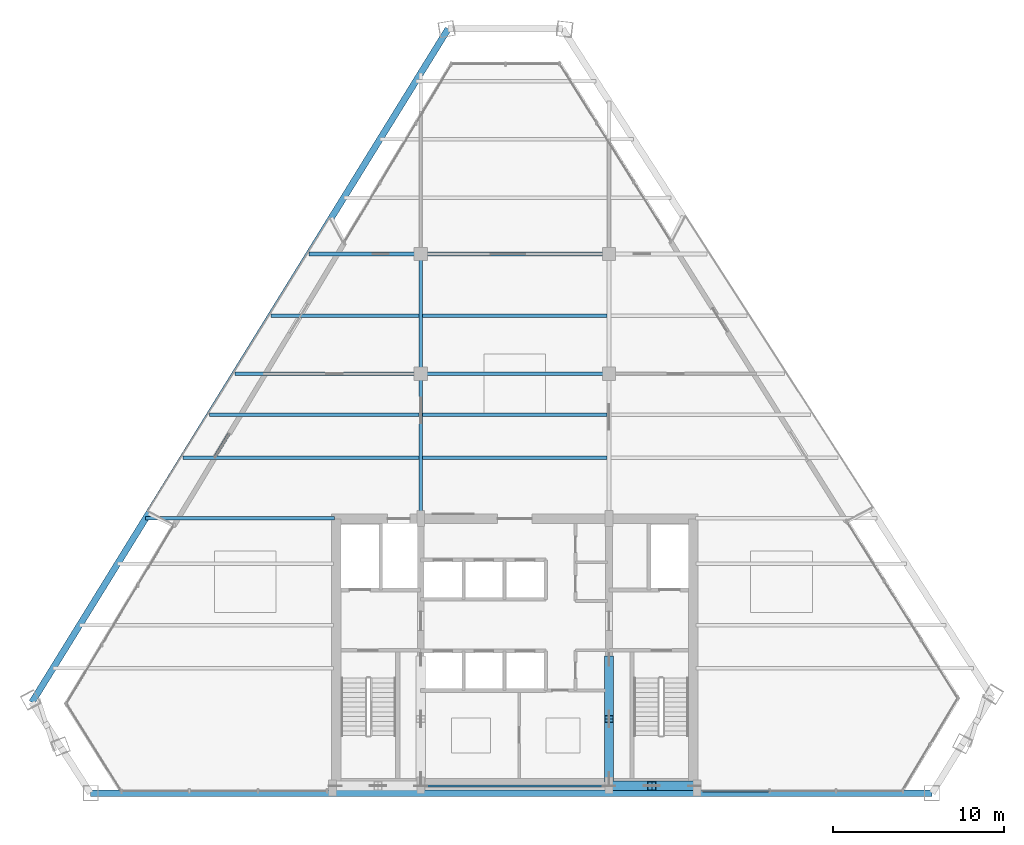
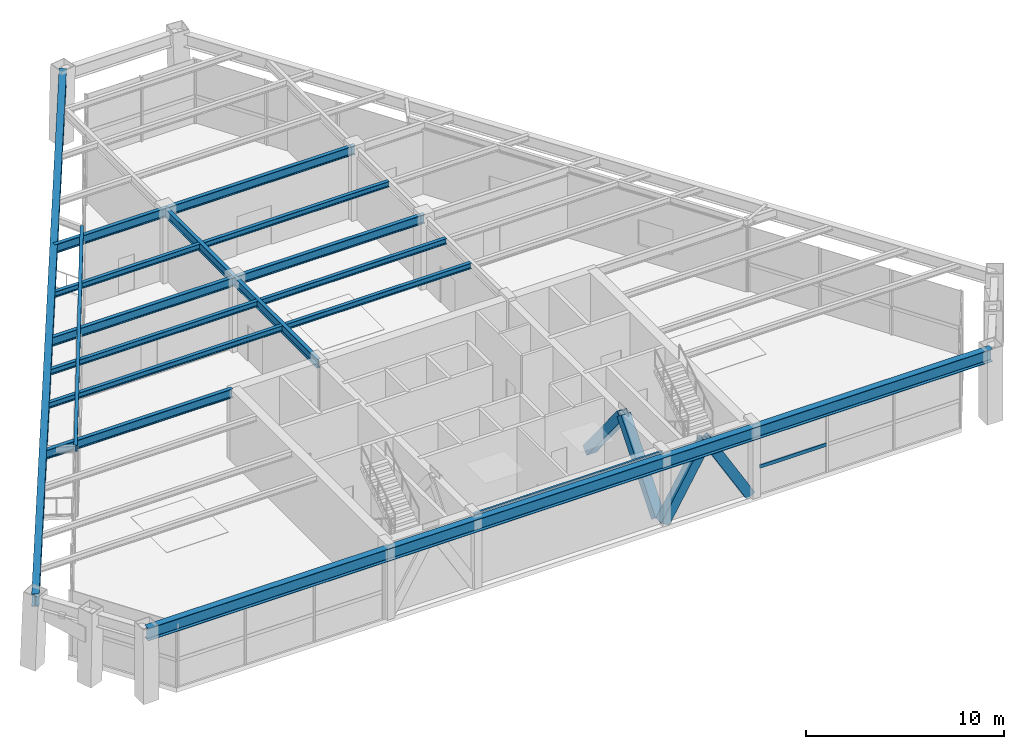
# One storey, part 3 of 11: 17 beams, 5 members, 1 element without a shape of its own.
"""IFC4 building model written with IfcOpenShell, lengths in metres."""

from ifc_helpers import new_model, si_unit, direction, frame, origin, origin_2d, place, context, subcontext, project, spatial, rectangle, hollow_rectangle, i_section, extrude, source, transform, mapped, material, material_profile, profile_set, type_object, type_shapes, element, aggregate, save


model = new_model("IFC4")

# Units and contexts
model_context = context("Model", 3, precision=1e-05, world=origin(), true_north=direction((0.0, 1.0)))
body_context = subcontext(model_context, "Body", "Model", "MODEL_VIEW")
ifc_project = project(units=[si_unit("LENGTHUNIT", "METRE"), si_unit("AREAUNIT", "SQUARE_METRE"), si_unit("VOLUMEUNIT", "CUBIC_METRE"), si_unit("PLANEANGLEUNIT", "RADIAN"), si_unit("MASSUNIT", "GRAM", prefix="KILO")], contexts=[model_context])

# Site, building, storey
site_placement = place(None, origin())
site = spatial("IfcSite", under=ifc_project, at=site_placement, CompositionType="ELEMENT")
building_placement = place(site_placement, origin())
building = spatial("IfcBuilding", under=site, at=building_placement, Name="Varnakhor Terracotta Tower", CompositionType="ELEMENT")
storey_placement = place(building_placement, frame((0.0, 0.0, 215.39990234375)))
storey = spatial("IfcBuildingStorey", under=building, at=storey_placement, Name="L55", CompositionType="ELEMENT", Elevation=215.39990234375)

# Beams
ifc_material_1 = material(Name="Steel S355", Category="steel")
ifc_material_profile_1 = material_profile(ifc_material_1, i_section(OverallWidth=0.1201171875, OverallDepth=0.239990234375, WebThickness=0.006103515625, FlangeThickness=0.009765625, FilletRadius=0.01806640625, at=origin_2d()), Name="IPE240")
ifc_profile_set_1 = profile_set([ifc_material_profile_1], Name="Steel S355")
beam_type_1 = type_object("IfcBeamType", Name="LNT-IPE240", PredefinedType="LINTEL", material=ifc_profile_set_1)
shared_shape_1 = source(origin(), body_context, "Body", "SweptSolid", [
    extrude(i_section(OverallWidth=0.1201171875, OverallDepth=0.239990234375, WebThickness=0.006103515625, FlangeThickness=0.009765625, FilletRadius=0.01806640625, at=origin_2d()), origin(), (0.0, 0.0, 1.0), 11.0),
])
type_shapes(beam_type_1, [shared_shape_1])
beam_1_placement = place(storey_placement, frame((-5.5, 0.419921875, 4.27001953125), z_axis=(1.0, 0.0, 0.0), x_axis=(0.0, 1.0, 0.0)))
element("IfcBeam", 1, at=beam_1_placement, inside=storey, type_object=beam_type_1, Name="L55 Core South Coupling Lintel", PredefinedType="LINTEL", context=body_context, shape_type="MappedRepresentation", body=[
    mapped(shared_shape_1, transform((0.0, 0.0, 0.0), scale=1.0)),
])
ifc_material_profile_2 = material_profile(ifc_material_1, i_section(OverallWidth=0.381103515625, OverallDepth=0.77294921875, WebThickness=0.01708984375, FlangeThickness=0.027099609375, FilletRadius=0.01806640625, at=origin_2d()), Name="W30X173")
ifc_profile_set_2 = profile_set([ifc_material_profile_2], Name="Steel S355")
beam_type_2 = type_object("IfcBeamType", Name="BM-W30X173", PredefinedType="BEAM", material=ifc_profile_set_2)
shared_shape_2 = source(origin(), body_context, "Body", "SweptSolid", [
    extrude(i_section(OverallWidth=0.381103515625, OverallDepth=0.77294921875, WebThickness=0.01708984375, FlangeThickness=0.027099609375, FilletRadius=0.01806640625, at=origin_2d()), origin(), (0.0, 0.0, 1.0), 49.199462890625),
])
type_shapes(beam_type_2, [shared_shape_2])
beam_2_placement = place(storey_placement, frame((-24.810791015625, 0.0, 4.003662109375), z_axis=(1.0, 0.0, 0.0), x_axis=(0.0, 1.0, 0.0)))
element("IfcBeam", 2, at=beam_2_placement, inside=storey, type_object=beam_type_2, Name="L55 Perimeter Spandrel 1", PredefinedType="BEAM", context=body_context, shape_type="MappedRepresentation", body=[
    mapped(shared_shape_2, transform((0.0, 0.0, 0.0), scale=1.0)),
])
shared_shape_3 = source(origin(), body_context, "Body", "SweptSolid", [
    extrude(i_section(OverallWidth=0.381103515625, OverallDepth=0.77294921875, WebThickness=0.01708984375, FlangeThickness=0.027099609375, FilletRadius=0.01806640625, at=origin_2d()), origin(), (0.0, 0.0, 1.0), 46.26220703125),
])
beam_3_placement = place(storey_placement, frame((-3.898681640625, 44.65478515625, 4.003662109375), z_axis=(-0.525717682848, -0.850659107952, 0.0), x_axis=(0.850659107952, -0.525717682848, 0.0)))
element("IfcBeam", 3, at=beam_3_placement, inside=storey, type_object=beam_type_2, Name="L55 Perimeter Spandrel 6", PredefinedType="BEAM", context=body_context, shape_type="MappedRepresentation", body=[
    mapped(shared_shape_3, transform((0.0, 0.0, 0.0), scale=1.0)),
])
ifc_material_profile_3 = material_profile(ifc_material_1, i_section(OverallWidth=0.179931640625, OverallDepth=0.39990234375, WebThickness=0.008544921875, FlangeThickness=0.013427734375, FilletRadius=0.01806640625, at=origin_2d()), Name="IPE400")
ifc_profile_set_3 = profile_set([ifc_material_profile_3], Name="Steel S355")
beam_type_3 = type_object("IfcBeamType", Name="JST-IPE400", PredefinedType="JOIST", material=ifc_profile_set_3)
shared_shape_4 = source(origin(), body_context, "Body", "SweptSolid", [
    extrude(i_section(OverallWidth=0.179931640625, OverallDepth=0.39990234375, WebThickness=0.008544921875, FlangeThickness=0.013427734375, FilletRadius=0.01806640625, at=origin_2d()), origin(), (0.0, 0.0, 1.0), 19.322265625),
])
beam_4_placement = place(storey_placement, frame((-9.989990234375, 32.188232421875, 4.190185546875), z_axis=(-0.514354531287, -0.857577644382, 0.0), x_axis=(0.857577644382, -0.514354531287, 0.0)))
element("IfcBeam", 4, at=beam_4_placement, inside=storey, type_object=beam_type_3, Name="L55 Loggia Edge Beam 2", PredefinedType="JOIST", context=body_context, shape_type="MappedRepresentation", body=[
    mapped(shared_shape_4, transform((0.0, 0.0, 0.0), scale=1.0)),
])
ifc_material_profile_4 = material_profile(ifc_material_1, i_section(OverallWidth=0.214111328125, OverallDepth=0.549072265625, WebThickness=0.014892578125, FlangeThickness=0.02392578125, FilletRadius=0.01806640625, at=origin_2d()), Name="W21X93")
ifc_profile_set_4 = profile_set([ifc_material_profile_4], Name="Steel S355")
beam_type_4 = type_object("IfcBeamType", Name="BM-W21X93", PredefinedType="BEAM", material=ifc_profile_set_4)
shared_shape_5 = source(origin(), body_context, "Body", "SweptSolid", [
    extrude(i_section(OverallWidth=0.214111328125, OverallDepth=0.549072265625, WebThickness=0.014892578125, FlangeThickness=0.02392578125, FilletRadius=0.01806640625, at=origin_2d()), origin(), (0.0, 0.0, 1.0), 8.449951171875),
])
type_shapes(beam_type_4, [shared_shape_5])
beam_5_placement = place(storey_placement, frame((-5.5, 16.050048828125, 4.115478515625), z_axis=(0.0, 1.0, 0.0), x_axis=(-1.0, 0.0, 0.0)))
element("IfcBeam", 5, at=beam_5_placement, inside=storey, type_object=beam_type_4, Name="L55 Primary Girder NS1-W", PredefinedType="BEAM", context=body_context, shape_type="MappedRepresentation", body=[
    mapped(shared_shape_5, transform((0.0, 0.0, 0.0), scale=1.0)),
])
shared_shape_6 = source(origin(), body_context, "Body", "SweptSolid", [
    extrude(i_section(OverallWidth=0.214111328125, OverallDepth=0.549072265625, WebThickness=0.014892578125, FlangeThickness=0.02392578125, FilletRadius=0.01806640625, at=origin_2d()), origin(), (0.0, 0.0, 1.0), 7.0),
])
beam_6_placement = place(storey_placement, frame((-5.5, 24.5, 4.115478515625), z_axis=(0.0, 1.0, 0.0), x_axis=(-1.0, 0.0, 0.0)))
element("IfcBeam", 6, at=beam_6_placement, inside=storey, type_object=beam_type_4, Name="L55 Primary Girder NS2-W", PredefinedType="BEAM", context=body_context, shape_type="MappedRepresentation", body=[
    mapped(shared_shape_6, transform((0.0, 0.0, 0.0), scale=1.0)),
])
shared_shape_7 = source(origin(), body_context, "Body", "SweptSolid", [
    extrude(i_section(OverallWidth=0.214111328125, OverallDepth=0.549072265625, WebThickness=0.014892578125, FlangeThickness=0.02392578125, FilletRadius=0.01806640625, at=origin_2d()), origin(), (0.0, 0.0, 1.0), 11.02685546875),
])
beam_7_placement = place(storey_placement, frame((-21.576904296875, 16.050048828125, 4.115478515625), z_axis=(1.0, 0.0, 0.0), x_axis=(0.0, 1.0, 0.0)))
element("IfcBeam", 7, at=beam_7_placement, inside=storey, type_object=beam_type_4, Name="L55 Wing Girder W", PredefinedType="BEAM", context=body_context, shape_type="MappedRepresentation", body=[
    mapped(shared_shape_7, transform((0.0, 0.0, 0.0), scale=1.0)),
])
shared_shape_8 = source(origin(), body_context, "Body", "SweptSolid", [
    extrude(i_section(OverallWidth=0.214111328125, OverallDepth=0.549072265625, WebThickness=0.014892578125, FlangeThickness=0.02392578125, FilletRadius=0.01806640625, at=origin_2d()), origin(), (0.0, 0.0, 1.0), 10.854736328125),
])
beam_8_placement = place(storey_placement, frame((-16.354736328125, 24.5, 4.115478515625), z_axis=(1.0, 0.0, 0.0), x_axis=(0.0, 1.0, 0.0)))
element("IfcBeam", 8, at=beam_8_placement, inside=storey, type_object=beam_type_4, Name="L55 Primary Girder EW2-1", PredefinedType="BEAM", context=body_context, shape_type="MappedRepresentation", body=[
    mapped(shared_shape_8, transform((0.0, 0.0, 0.0), scale=1.0)),
])
shared_shape_9 = source(origin(), body_context, "Body", "SweptSolid", [
    extrude(i_section(OverallWidth=0.214111328125, OverallDepth=0.549072265625, WebThickness=0.014892578125, FlangeThickness=0.02392578125, FilletRadius=0.01806640625, at=origin_2d()), origin(), (0.0, 0.0, 1.0), 11.0),
])
for number, where, z_axis, x_axis, name in (
    (9, (-5.5, 24.5, 4.115478515625), (1.0, 0.0, 0.0), (0.0, 1.0, 0.0), "L55 Primary Girder EW2-2"),
    (10, (-5.5, 31.5, 4.115478515625), (1.0, 0.0, 0.0), (0.0, 1.0, 0.0), "L55 Primary Girder EW3-2"),
):
    element("IfcBeam", number, at=place(storey_placement, frame(where, z_axis=z_axis, x_axis=x_axis)), inside=storey, type_object=beam_type_4, Name=name, PredefinedType="BEAM", context=body_context, shape_type="MappedRepresentation", body=[
        mapped(shared_shape_9, transform((0.0, 0.0, 0.0), scale=1.0)),
    ])
shared_shape_10 = source(origin(), body_context, "Body", "SweptSolid", [
    extrude(i_section(OverallWidth=0.214111328125, OverallDepth=0.549072265625, WebThickness=0.014892578125, FlangeThickness=0.02392578125, FilletRadius=0.01806640625, at=origin_2d()), origin(), (0.0, 0.0, 1.0), 6.528564453125),
])
beam_9_placement = place(storey_placement, frame((-12.028564453125, 31.5, 4.115478515625), z_axis=(1.0, 0.0, 0.0), x_axis=(0.0, 1.0, 0.0)))
element("IfcBeam", 11, at=beam_9_placement, inside=storey, type_object=beam_type_4, Name="L55 Primary Girder EW3-1", PredefinedType="BEAM", context=body_context, shape_type="MappedRepresentation", body=[
    mapped(shared_shape_10, transform((0.0, 0.0, 0.0), scale=1.0)),
])
ifc_material_profile_5 = material_profile(ifc_material_1, i_section(OverallWidth=0.202880859375, OverallDepth=0.346923828125, WebThickness=0.0078125, FlangeThickness=0.013427734375, FilletRadius=0.01806640625, at=origin_2d()), Name="W14X43")
ifc_profile_set_5 = profile_set([ifc_material_profile_5], Name="Steel S355")
beam_type_5 = type_object("IfcBeamType", Name="JST-W14X43", PredefinedType="JOIST", material=ifc_profile_set_5)
shared_shape_11 = source(origin(), body_context, "Body", "SweptSolid", [
    extrude(i_section(OverallWidth=0.202880859375, OverallDepth=0.346923828125, WebThickness=0.0078125, FlangeThickness=0.013427734375, FilletRadius=0.01806640625, at=origin_2d()), origin(), (0.0, 0.0, 1.0), 13.77978515625),
])
beam_10_placement = place(storey_placement, frame((-19.3828125, 19.60009765625, 4.216552734375), z_axis=(1.0, 0.0, 0.0), x_axis=(0.0, 1.0, 0.0)))
element("IfcBeam", 12, at=beam_10_placement, inside=storey, type_object=beam_type_5, Name="L55 Composite Floor Joist 4-1", PredefinedType="JOIST", context=body_context, shape_type="MappedRepresentation", body=[
    mapped(shared_shape_11, transform((0.0, 0.0, 0.0), scale=1.0)),
])
shared_shape_12 = source(origin(), body_context, "Body", "SweptSolid", [
    extrude(i_section(OverallWidth=0.202880859375, OverallDepth=0.346923828125, WebThickness=0.0078125, FlangeThickness=0.013427734375, FilletRadius=0.01806640625, at=origin_2d()), origin(), (0.0, 0.0, 1.0), 10.7939453125),
])
for number, where, z_axis, x_axis, name in (
    (13, (-5.39697265625, 19.60009765625, 4.216552734375), (1.0, 0.0, 0.0), (0.0, 1.0, 0.0), "L55 Composite Floor Joist 4-2"),
    (14, (-5.39697265625, 22.10009765625, 4.216552734375), (1.0, 0.0, 0.0), (0.0, 1.0, 0.0), "L55 Composite Floor Joist 5-2"),
    (15, (-5.39697265625, 27.89990234375, 4.216552734375), (1.0, 0.0, 0.0), (0.0, 1.0, 0.0), "L55 Composite Floor Joist 6-2"),
):
    element("IfcBeam", number, at=place(storey_placement, frame(where, z_axis=z_axis, x_axis=x_axis)), inside=storey, type_object=beam_type_5, Name=name, PredefinedType="JOIST", context=body_context, shape_type="MappedRepresentation", body=[
        mapped(shared_shape_12, transform((0.0, 0.0, 0.0), scale=1.0)),
    ])
shared_shape_13 = source(origin(), body_context, "Body", "SweptSolid", [
    extrude(i_section(OverallWidth=0.202880859375, OverallDepth=0.346923828125, WebThickness=0.0078125, FlangeThickness=0.013427734375, FilletRadius=0.01806640625, at=origin_2d()), origin(), (0.0, 0.0, 1.0), 12.23486328125),
])
beam_11_placement = place(storey_placement, frame((-17.837890625, 22.10009765625, 4.216552734375), z_axis=(1.0, 0.0, 0.0), x_axis=(0.0, 1.0, 0.0)))
element("IfcBeam", 16, at=beam_11_placement, inside=storey, type_object=beam_type_5, Name="L55 Composite Floor Joist 5-1", PredefinedType="JOIST", context=body_context, shape_type="MappedRepresentation", body=[
    mapped(shared_shape_13, transform((0.0, 0.0, 0.0), scale=1.0)),
])
shared_shape_14 = source(origin(), body_context, "Body", "SweptSolid", [
    extrude(i_section(OverallWidth=0.202880859375, OverallDepth=0.346923828125, WebThickness=0.0078125, FlangeThickness=0.013427734375, FilletRadius=0.01806640625, at=origin_2d()), origin(), (0.0, 0.0, 1.0), 8.650390625),
])
beam_12_placement = place(storey_placement, frame((-14.25341796875, 27.89990234375, 4.216552734375), z_axis=(1.0, 0.0, 0.0), x_axis=(0.0, 1.0, 0.0)))
element("IfcBeam", 17, at=beam_12_placement, inside=storey, type_object=beam_type_5, Name="L55 Composite Floor Joist 6-1", PredefinedType="JOIST", context=body_context, shape_type="MappedRepresentation", body=[
    mapped(shared_shape_14, transform((0.0, 0.0, 0.0), scale=1.0)),
])

# Members
ifc_material_profile_6 = material_profile(ifc_material_1, hollow_rectangle(XDim=0.550048828125, YDim=0.550048828125, WallThickness=0.034912109375, at=origin_2d()), Name="HSS550X550X35")
ifc_profile_set_6 = profile_set([ifc_material_profile_6], Name="Steel S355")
member_type_1 = type_object("IfcMemberType", Name="MBR-MEGA-550", PredefinedType="BRACE", material=ifc_profile_set_6)
shared_shape_15 = source(origin(), body_context, "Body", "SweptSolid", [
    extrude(hollow_rectangle(XDim=0.550048828125, YDim=0.550048828125, WallThickness=0.034912109375, at=origin_2d()), origin(), (0.0, 0.0, 1.0), 4.922119140625),
])
type_shapes(member_type_1, [shared_shape_15])
for number, where, z_axis, x_axis, name in (
    (18, (5.5, 0.419921875, 0.0), (0.507908584864, 0.0, 0.861410975912), (0.0, 1.0, 0.0), "L55 Core Coupled Brace CSEA"),
    (19, (10.5, 0.419921875, 0.0), (-0.507908584864, 0.0, 0.861410975912), (0.0, -1.0, 0.0), "L55 Core Coupled Brace CSEB"),
):
    element("IfcMember", number, at=place(storey_placement, frame(where, z_axis=z_axis, x_axis=x_axis)), inside=storey, type_object=member_type_1, Name=name, PredefinedType="BRACE", context=body_context, shape_type="MappedRepresentation", body=[
        mapped(shared_shape_15, transform((0.0, 0.0, 0.0), scale=1.0)),
    ])
shared_shape_16 = source(origin(), body_context, "Body", "SweptSolid", [
    extrude(hollow_rectangle(XDim=0.550048828125, YDim=0.550048828125, WallThickness=0.034912109375, at=origin_2d()), origin(), (0.0, 0.0, 1.0), 5.48193359375),
])
member_1_placement = place(storey_placement, frame((5.5, 0.85009765625, 0.0), z_axis=(0.0, 0.633868126617, 0.773441140656), x_axis=(-1.0, 0.0, 0.0)))
element("IfcMember", 20, at=member_1_placement, inside=storey, type_object=member_type_1, Name="L55 Core Coupled Brace CWEA", PredefinedType="BRACE", context=body_context, shape_type="MappedRepresentation", body=[
    mapped(shared_shape_16, transform((0.0, 0.0, 0.0), scale=1.0)),
])
shared_shape_17 = source(origin(), body_context, "Body", "SweptSolid", [
    extrude(hollow_rectangle(XDim=0.550048828125, YDim=0.550048828125, WallThickness=0.034912109375, at=origin_2d()), origin(), (0.0, 0.0, 1.0), 5.482177734375),
])
member_2_placement = place(storey_placement, frame((5.5, 7.800048828125, 0.0), z_axis=(0.0, -0.633894766886, 0.773419307048), x_axis=(1.0, 0.0, 0.0)))
element("IfcMember", 21, at=member_2_placement, inside=storey, type_object=member_type_1, Name="L55 Core Coupled Brace CWEB", PredefinedType="BRACE", context=body_context, shape_type="MappedRepresentation", body=[
    mapped(shared_shape_17, transform((0.0, 0.0, 0.0), scale=1.0)),
])

# Curtain wall, member
ifc_material_2 = material(Name="Anodised Aluminium Curtain Wall System", Category="aluminium")
curtain_wall_type = type_object("IfcCurtainWallType", Name="CW-SYS-SKYLOBBY", PredefinedType="NOTDEFINED", material=ifc_material_2)
curtain_wall_placement = place(storey_placement, origin())
curtain_wall = element("IfcCurtainWall", 22, at=curtain_wall_placement, inside=storey, type_object=curtain_wall_type, Name="L55 South Wing Curtain Wall SSE", PredefinedType="NOTDEFINED")
ifc_material_3 = material(Name="Anodised Aluminium 6063-T6", Category="aluminium")
ifc_material_profile_7 = material_profile(ifc_material_3, rectangle(XDim=0.090087890625, YDim=0.2099609375, at=origin_2d()), Name="ALU TRANSOM 90x210")
ifc_profile_set_7 = profile_set([ifc_material_profile_7], Name="Anodised Aluminium 6063-T6")
member_type_2 = type_object("IfcMemberType", Name="CWT-05", PredefinedType="USERDEFINED", material=ifc_profile_set_7)
shared_shape_18 = source(origin(), body_context, "Body", "SweptSolid", [
    extrude(rectangle(XDim=0.090087890625, YDim=0.2099609375, at=origin_2d()), origin(), (0.0, 0.0, 1.0), 3.900146484375),
])
member_3_placement = place(storey_placement, frame((14.8701171875, 0.1201171875, 1.66748046875), z_axis=(-1.0, 0.0, 0.0), x_axis=(0.0, -1.0, 0.0)))
member_3 = element("IfcMember", 23, at=member_3_placement, type_object=member_type_2, Name="L55 South Wing Curtain Wall SSE Transom 3", ObjectType="TRANSOM", PredefinedType="USERDEFINED", context=body_context, shape_type="MappedRepresentation", body=[
    mapped(shared_shape_18, transform((0.0, 0.0, 0.0), scale=1.0)),
])
aggregate(curtain_wall, [member_3])

save(model, "model.ifc")
